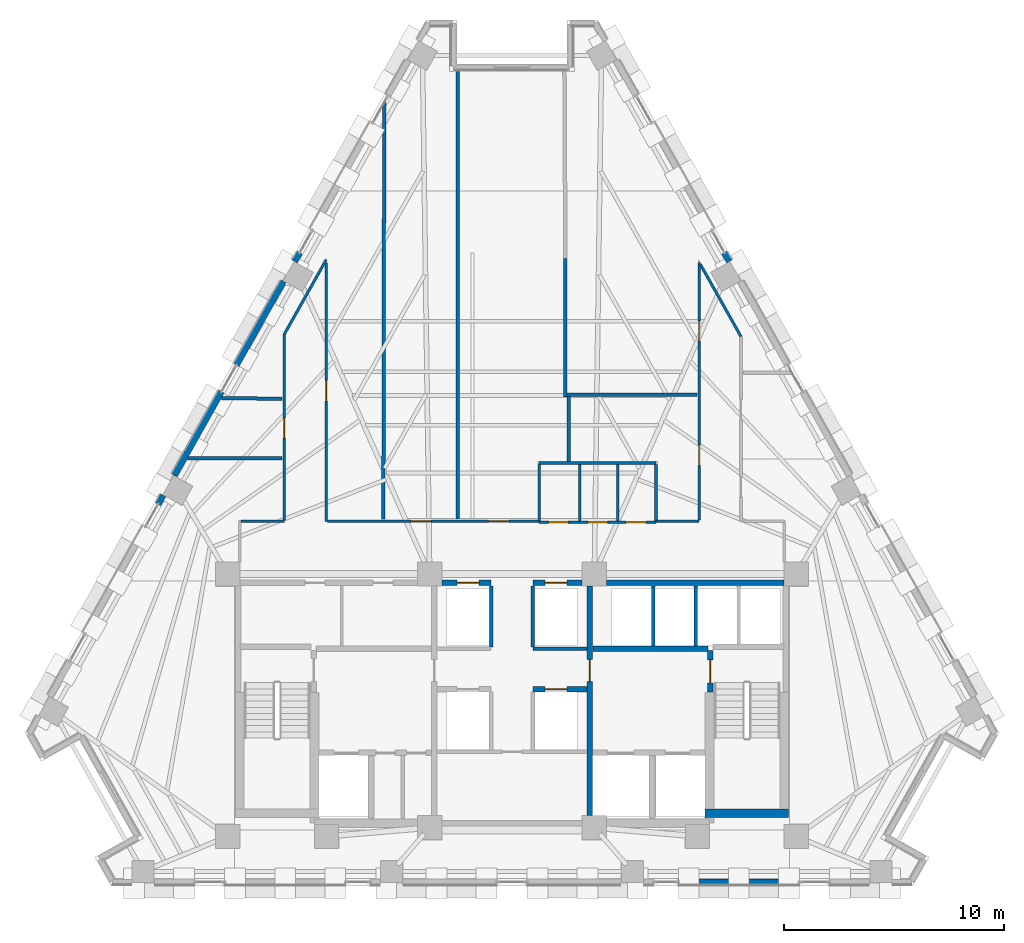
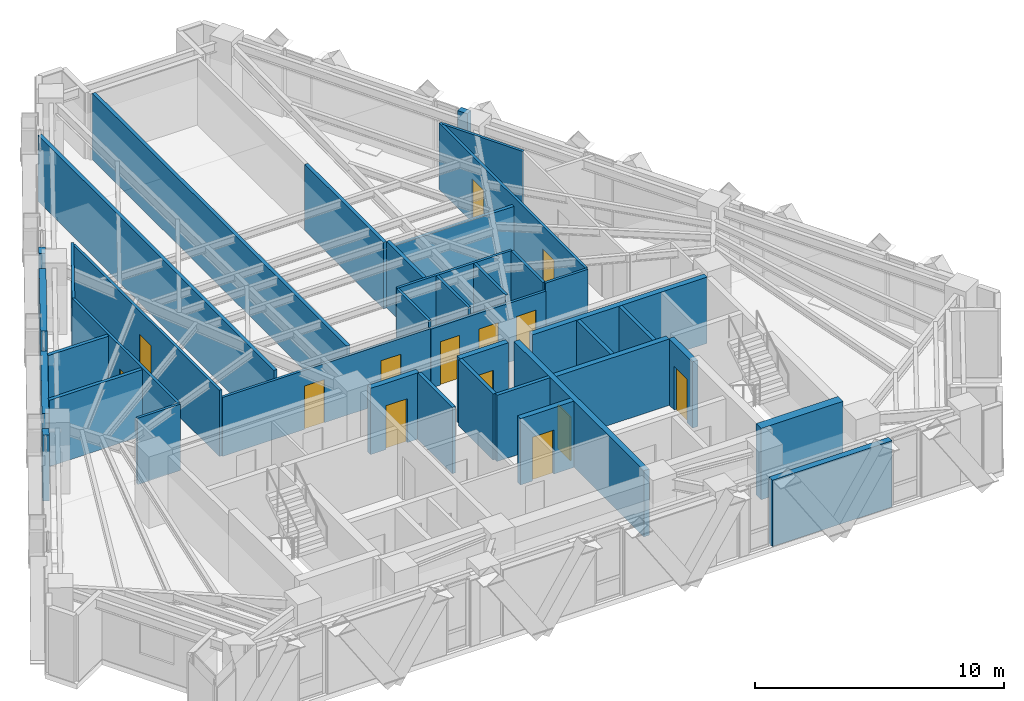
# One storey, part 8 of 13: 40 walls, 14 doors, 14 openings.
"""IFC4 building model written with IfcOpenShell, lengths in metres."""

from ifc_helpers import new_model, si_unit, direction, frame, frame_2d, origin, place, context, subcontext, project, spatial, rectangle, extrude, material, layer, layer_set, type_object, element, fill, save


model = new_model("IFC4")

# Units and contexts
model_context = context("Model", 3, precision=1e-05, world=origin(), true_north=direction((0.0, 1.0)))
body_context = subcontext(model_context, "Body", "Model", "MODEL_VIEW")
ifc_project = project(units=[si_unit("LENGTHUNIT", "METRE"), si_unit("AREAUNIT", "SQUARE_METRE"), si_unit("VOLUMEUNIT", "CUBIC_METRE"), si_unit("PLANEANGLEUNIT", "RADIAN"), si_unit("MASSUNIT", "GRAM", prefix="KILO")], contexts=[model_context])

# Site, building, storey
site_placement = place(None, origin())
site = spatial("IfcSite", under=ifc_project, at=site_placement, CompositionType="ELEMENT")
building_placement = place(site_placement, origin())
building = spatial("IfcBuilding", under=site, at=building_placement, Name="Quenlor Broadcast Tower", CompositionType="ELEMENT")
storey_placement = place(building_placement, frame((0.0, 0.0, 172.0)))
storey = spatial("IfcBuildingStorey", under=building, at=storey_placement, Name="L47", CompositionType="ELEMENT", Elevation=172.0)

# Wall
ifc_material_1 = material(Name="Concrete C50/60", Category="concrete")
ifc_layer_1 = layer(ifc_material_1, 0.39990234375)
ifc_layer_set_1 = layer_set([ifc_layer_1], Name="Core Concrete C50/60 Shear Wall 400")
wall_type_1 = type_object("IfcWallType", Name="Core Concrete C50/60 Shear Wall 400", PredefinedType="SHEAR", material=ifc_layer_set_1)
wall_1_placement = place(storey_placement, frame((8.800048828125, -15.699951171875, 0.0), z_axis=(0.0, 0.0, 1.0), x_axis=(1.0, 0.0, 0.0)))
element("IfcWall", 1, at=wall_1_placement, inside=storey, type_object=wall_type_1, Name="L47 Core Shear Wall WS-E2", PredefinedType="SHEAR", context=body_context, shape_type="SweptSolid", body=[
    extrude(rectangle(XDim=3.800048828125, YDim=0.39990234375, at=frame_2d((1.89990234375, 0.0))), origin(), (0.0, 0.0, 1.0), 3.5),
])

# Wall, opening, door
ifc_material_2 = material(Name="Concrete C40/50", Category="concrete")
ifc_layer_2 = layer(ifc_material_2, 0.25)
ifc_layer_set_2 = layer_set([ifc_layer_2], Name="Fire Rated Concrete C40/50 Core Wall 250")
wall_type_2 = type_object("IfcWallType", Name="Fire Rated Concrete C40/50 Core Wall 250", PredefinedType="PARTITIONING", material=ifc_layer_set_2)
wall_2_placement = place(storey_placement, frame((9.0400390625, -10.179931640625, 0.0), z_axis=(0.0, 0.0, 1.0), x_axis=(0.0, 1.0, 0.0)))
wall_2 = element("IfcWall", 2, at=wall_2_placement, inside=storey, type_object=wall_type_2, Name="L47 Interior Wall CW-ST2-DR", PredefinedType="PARTITIONING", context=body_context, shape_type="SweptSolid", body=[
    extrude(rectangle(XDim=1.89990234375, YDim=0.25, at=frame_2d((0.949951171875, 0.0))), origin(), (0.0, 0.0, 1.0), 3.25),
])
opening_1_placement = place(wall_2_placement, frame((0.419921875, 0.0, 0.0)))
opening_1 = element("IfcOpeningElement", 3, at=opening_1_placement, cuts=wall_2, Name="Opening FD-1", PredefinedType="OPENING", context=body_context, shape_type="SweptSolid", body=[
    extrude(rectangle(XDim=1.050048828125, YDim=2.14990234375, at=frame_2d((0.52490234375, 1.074951171875))), frame((0.0, 0.135009765625, 0.0), z_axis=(0.0, -1.0, 0.0), x_axis=(1.0, 0.0, 0.0)), (0.0, 0.0, 1.0), 0.27001953125),
])
ifc_material_3 = material(Name="Fire Rated Steel Door Leaf", Category="steel")
door_type_1 = type_object("IfcDoorType", Name="Fire Isolated Stair Door 1050x2150", OperationType="NOTDEFINED", PredefinedType="DOOR", material=ifc_material_3)
door_1_placement = place(opening_1_placement, origin())
door_1 = element("IfcDoor", 4, at=door_1_placement, inside=storey, type_object=door_type_1, Name="L47 Door DR-ST2", OperationType="SINGLE_SWING_RIGHT", OverallHeight=2.14990234375, OverallWidth=1.050048828125, PredefinedType="DOOR", context=body_context, shape_type="SweptSolid", body=[
    extrude(rectangle(XDim=1.050048828125, YDim=2.14990234375, at=frame_2d((0.52490234375, 1.074951171875))), frame((0.0, 0.02490234375, 0.0), z_axis=(0.0, -1.0, 0.0), x_axis=(1.0, 0.0, 0.0)), (0.0, 0.0, 1.0), 0.050048828125),
])
fill(opening_1, door_1)

# Wall
wall_3_placement = place(storey_placement, frame((3.679931640625, -8.199951171875, 0.0), z_axis=(0.0, 0.0, 1.0), x_axis=(1.0, 0.0, 0.0)))
element("IfcWall", 5, at=wall_3_placement, inside=storey, type_object=wall_type_2, Name="L47 Interior Wall CW-FFE-N", PredefinedType="PARTITIONING", context=body_context, shape_type="SweptSolid", body=[
    extrude(rectangle(XDim=5.239990234375, YDim=0.25, at=frame_2d((2.6201171875, 0.0))), origin(), (0.0, 0.0, 1.0), 3.25),
])

# Wall, opening, door
wall_4_placement = place(storey_placement, frame((3.550048828125, -15.798095703125, 0.0), z_axis=(0.0, 0.0, 1.0), x_axis=(0.0, 1.0, 0.0)))
wall_4 = element("IfcWall", 6, at=wall_4_placement, inside=storey, type_object=wall_type_2, Name="L47 Interior Wall CW-FFE-W", PredefinedType="PARTITIONING", context=body_context, shape_type="SweptSolid", body=[
    extrude(rectangle(XDim=10.446044921875, YDim=0.25, at=frame_2d((5.22314453125, 0.0))), origin(), (0.0, 0.0, 1.0), 3.25),
])
opening_2_placement = place(wall_4_placement, frame((6.097900390625, 0.0, 0.0)))
opening_2 = element("IfcOpeningElement", 7, at=opening_2_placement, cuts=wall_4, Name="Opening FD-2", PredefinedType="OPENING", context=body_context, shape_type="SweptSolid", body=[
    extrude(rectangle(XDim=1.0, YDim=2.14990234375, at=frame_2d((0.5, 1.074951171875))), frame((0.0, 0.135009765625, 0.0), z_axis=(0.0, -1.0, 0.0), x_axis=(1.0, 0.0, 0.0)), (0.0, 0.0, 1.0), 0.27001953125),
])
ifc_material_4 = material(Name="Fire Rated Glazed Steel Door", Category="steel")
door_type_2 = type_object("IfcDoorType", Name="Firefighting Lobby Smoke Door 1000x2150", OperationType="NOTDEFINED", PredefinedType="DOOR", material=ifc_material_4)
door_2_placement = place(opening_2_placement, origin())
door_2 = element("IfcDoor", 8, at=door_2_placement, inside=storey, type_object=door_type_2, Name="L47 Door DR-FFLE", OperationType="SINGLE_SWING_LEFT", OverallHeight=2.14990234375, OverallWidth=1.0, PredefinedType="DOOR", context=body_context, shape_type="SweptSolid", body=[
    extrude(rectangle(XDim=1.0, YDim=2.14990234375, at=frame_2d((0.5, 1.074951171875))), frame((0.0, 0.02490234375, 0.0), z_axis=(0.0, -1.0, 0.0), x_axis=(1.0, 0.0, 0.0)), (0.0, 0.0, 1.0), 0.050048828125),
])
fill(opening_2, door_2)

# Wall
wall_5_placement = place(storey_placement, frame((4.302001953125, -5.199951171875, 0.0), z_axis=(0.0, 0.0, 1.0), x_axis=(1.0, 0.0, 0.0)))
element("IfcWall", 9, at=wall_5_placement, inside=storey, type_object=wall_type_2, Name="L47 Interior Wall CW-N-E", PredefinedType="PARTITIONING", context=body_context, shape_type="SweptSolid", body=[
    extrude(rectangle(XDim=8.095947265625, YDim=0.25, at=frame_2d((4.0478515625, 0.0))), origin(), (0.0, 0.0, 1.0), 3.25),
])

# Wall, opening, door
wall_6_placement = place(storey_placement, frame((-3.197998046875, -5.199951171875, 0.0), z_axis=(0.0, 0.0, 1.0), x_axis=(1.0, 0.0, 0.0)))
wall_6 = element("IfcWall", 10, at=wall_6_placement, inside=storey, type_object=wall_type_2, Name="L47 Interior Wall CW-N-M1", PredefinedType="PARTITIONING", context=body_context, shape_type="SweptSolid", body=[
    extrude(rectangle(XDim=2.248046875, YDim=0.25, at=frame_2d((1.1240234375, 0.0))), origin(), (0.0, 0.0, 1.0), 3.25),
])
opening_3_placement = place(wall_6_placement, frame((0.697998046875, 0.0, 0.0)))
opening_3 = element("IfcOpeningElement", 11, at=opening_3_placement, cuts=wall_6, Name="Opening LD-PL-M1", PredefinedType="OPENING", context=body_context, shape_type="SweptSolid", body=[
    extrude(rectangle(XDim=1.0, YDim=2.14990234375, at=frame_2d((0.5, 1.074951171875))), frame((0.0, 0.135009765625, 0.0), z_axis=(0.0, -1.0, 0.0), x_axis=(1.0, 0.0, 0.0)), (0.0, 0.0, 1.0), 0.27001953125),
])
ifc_material_5 = material(Name="Brushed Stainless Steel", Category="steel")
door_type_3 = type_object("IfcDoorType", Name="Passenger Lift Sliding Landing Door 1000x2150", OperationType="NOTDEFINED", PredefinedType="DOOR", material=ifc_material_5)
door_3_placement = place(opening_3_placement, origin())
door_3 = element("IfcDoor", 12, at=door_3_placement, inside=storey, type_object=door_type_3, Name="L47 Door LD-PL-M1", OperationType="SLIDING_TO_LEFT", OverallHeight=2.14990234375, OverallWidth=1.0, PredefinedType="DOOR", context=body_context, shape_type="SweptSolid", body=[
    extrude(rectangle(XDim=1.0, YDim=2.14990234375, at=frame_2d((0.5, 1.074951171875))), frame((0.0, 0.02490234375, 0.0), z_axis=(0.0, -1.0, 0.0), x_axis=(1.0, 0.0, 0.0)), (0.0, 0.0, 1.0), 0.050048828125),
])
fill(opening_3, door_3)

wall_7_placement = place(storey_placement, frame((0.949951171875, -5.199951171875, 0.0), z_axis=(0.0, 0.0, 1.0), x_axis=(1.0, 0.0, 0.0)))
wall_7 = element("IfcWall", 13, at=wall_7_placement, inside=storey, type_object=wall_type_2, Name="L47 Interior Wall CW-N-M2", PredefinedType="PARTITIONING", context=body_context, shape_type="SweptSolid", body=[
    extrude(rectangle(XDim=2.248046875, YDim=0.25, at=frame_2d((1.1240234375, 0.0))), origin(), (0.0, 0.0, 1.0), 3.25),
])
opening_4_placement = place(wall_7_placement, frame((0.550048828125, 0.0, 0.0)))
opening_4 = element("IfcOpeningElement", 14, at=opening_4_placement, cuts=wall_7, Name="Opening LD-PL-M2", PredefinedType="OPENING", context=body_context, shape_type="SweptSolid", body=[
    extrude(rectangle(XDim=1.0, YDim=2.14990234375, at=frame_2d((0.5, 1.074951171875))), frame((0.0, 0.135009765625, 0.0), z_axis=(0.0, -1.0, 0.0), x_axis=(1.0, 0.0, 0.0)), (0.0, 0.0, 1.0), 0.27001953125),
])
door_4_placement = place(opening_4_placement, origin())
door_4 = element("IfcDoor", 15, at=door_4_placement, inside=storey, type_object=door_type_3, Name="L47 Door LD-PL-M2", OperationType="SLIDING_TO_RIGHT", OverallHeight=2.14990234375, OverallWidth=1.0, PredefinedType="DOOR", context=body_context, shape_type="SweptSolid", body=[
    extrude(rectangle(XDim=1.0, YDim=2.14990234375, at=frame_2d((0.5, 1.074951171875))), frame((0.0, 0.02490234375, 0.0), z_axis=(0.0, -1.0, 0.0), x_axis=(1.0, 0.0, 0.0)), (0.0, 0.0, 1.0), 0.050048828125),
])
fill(opening_4, door_4)

wall_8_placement = place(storey_placement, frame((0.949951171875, -10.050048828125, 0.0), z_axis=(0.0, 0.0, 1.0), x_axis=(1.0, 0.0, 0.0)))
wall_8 = element("IfcWall", 16, at=wall_8_placement, inside=storey, type_object=wall_type_2, Name="L47 Interior Wall CW-MS-N2", PredefinedType="PARTITIONING", context=body_context, shape_type="SweptSolid", body=[
    extrude(rectangle(XDim=2.469970703125, YDim=0.25, at=frame_2d((1.23486328125, 0.0))), origin(), (0.0, 0.0, 1.0), 3.25),
])
opening_5_placement = place(wall_8_placement, frame((0.550048828125, 0.0, 0.0)))
opening_5 = element("IfcOpeningElement", 17, at=opening_5_placement, cuts=wall_8, Name="Opening LD-PL-M4", PredefinedType="OPENING", context=body_context, shape_type="SweptSolid", body=[
    extrude(rectangle(XDim=1.0, YDim=2.14990234375, at=frame_2d((0.5, 1.074951171875))), frame((0.0, 0.135009765625, 0.0), z_axis=(0.0, -1.0, 0.0), x_axis=(1.0, 0.0, 0.0)), (0.0, 0.0, 1.0), 0.27001953125),
])
door_5_placement = place(opening_5_placement, origin())
door_5 = element("IfcDoor", 18, at=door_5_placement, inside=storey, type_object=door_type_3, Name="L47 Door LD-PL-M4", OperationType="SLIDING_TO_RIGHT", OverallHeight=2.14990234375, OverallWidth=1.0, PredefinedType="DOOR", context=body_context, shape_type="SweptSolid", body=[
    extrude(rectangle(XDim=1.0, YDim=2.14990234375, at=frame_2d((0.5, 1.074951171875))), frame((0.0, 0.02490234375, 0.0), z_axis=(0.0, -1.0, 0.0), x_axis=(1.0, 0.0, 0.0)), (0.0, 0.0, 1.0), 0.050048828125),
])
fill(opening_5, door_5)

# Walls
ifc_material_6 = material(Name="Gypsum Fireboard Partition", Category="other")
ifc_layer_3 = layer(ifc_material_6, 0.159912109375)
ifc_layer_set_3 = layer_set([ifc_layer_3], Name="Fire Rated Shaft and Corridor Partition 160")
wall_type_3 = type_object("IfcWallType", Name="Fire Rated Shaft and Corridor Partition 160", PredefinedType="PARTITIONING", material=ifc_layer_set_3)
for number, where, z_axis, x_axis, name in (
    (19, (6.425048828125, -8.072998046875, 0.0), (0.0, 0.0, 1.0), (0.0, 1.0, 0.0), "L47 Interior Wall CW-PLH-D1"),
    (20, (8.375, -8.072998046875, 0.0), (0.0, 0.0, 1.0), (0.0, 1.0, 0.0), "L47 Interior Wall CW-PLH-D2"),
):
    element("IfcWall", number, at=place(storey_placement, frame(where, z_axis=z_axis, x_axis=x_axis)), inside=storey, type_object=wall_type_3, Name=name, PredefinedType="PARTITIONING", context=body_context, shape_type="SweptSolid", body=[
        extrude(rectangle(XDim=2.73291015625, YDim=0.159912109375, at=frame_2d((1.366455078125, 0.0))), origin(), (0.0, 0.0, 1.0), 3.25),
    ])
for number, where, z_axis, x_axis, name in (
    (21, (-0.949951171875, -8.1201171875, 0.0), (0.0, 0.0, 1.0), (0.0, 1.0, 0.0), "L47 Interior Wall CW-CCRP-W"),
    (22, (0.949951171875, -8.1201171875, 0.0), (0.0, 0.0, 1.0), (0.0, 1.0, 0.0), "L47 Interior Wall CW-CCRP-E"),
):
    element("IfcWall", number, at=place(storey_placement, frame(where, z_axis=z_axis, x_axis=x_axis)), inside=storey, type_object=wall_type_3, Name=name, PredefinedType="PARTITIONING", context=body_context, shape_type="SweptSolid", body=[
        extrude(rectangle(XDim=2.780029296875, YDim=0.159912109375, at=frame_2d((1.39013671875, 0.0))), origin(), (0.0, 0.0, 1.0), 3.25),
    ])
wall_9_placement = place(storey_placement, frame((0.949951171875, -8.199951171875, 0.0), z_axis=(0.0, 0.0, 1.0), x_axis=(1.0, 0.0, 0.0)))
element("IfcWall", 23, at=wall_9_placement, inside=storey, type_object=wall_type_3, Name="L47 Interior Wall CW-M-BACK2", PredefinedType="PARTITIONING", context=body_context, shape_type="SweptSolid", body=[
    extrude(rectangle(XDim=2.469970703125, YDim=0.159912109375, at=frame_2d((1.23486328125, 0.0))), origin(), (0.0, 0.0, 1.0), 3.25),
])
wall_10_placement = place(storey_placement, frame((2.429931640625, 3.259765625, 0.0), z_axis=(0.0, 0.0, 1.0), x_axis=(0.0, 1.0, 0.0)))
element("IfcWall", 24, at=wall_10_placement, inside=storey, type_object=wall_type_3, Name="L47 Interior Wall PW-DV-02", PredefinedType="PARTITIONING", context=body_context, shape_type="SweptSolid", body=[
    extrude(rectangle(XDim=6.32470703125, YDim=0.159912109375, at=frame_2d((3.162353515625, 0.0))), origin(), (0.0, 0.0, 1.0), 3.25),
])
wall_11_placement = place(storey_placement, frame((8.419921875, 3.359619140625, 0.0), z_axis=(0.0, 0.0, 1.0), x_axis=(-1.0, 0.0, 0.0)))
element("IfcWall", 25, at=wall_11_placement, inside=storey, type_object=wall_type_3, Name="L47 Interior Wall PW-DV-04", PredefinedType="PARTITIONING", context=body_context, shape_type="SweptSolid", body=[
    extrude(rectangle(XDim=5.907958984375, YDim=0.159912109375, at=frame_2d((2.9541015625, 0.0))), origin(), (0.0, 0.0, 1.0), 2.891357421875),
])
wall_12_placement = place(storey_placement, frame((-2.474609375, -2.2900390625, 0.0), z_axis=(0.0, 0.0, 1.0), x_axis=(0.0, 1.0, 0.0)))
element("IfcWall", 26, at=wall_12_placement, inside=storey, type_object=wall_type_3, Name="L47 Interior Wall PW-DV-05", PredefinedType="PARTITIONING", context=body_context, shape_type="SweptSolid", body=[
    extrude(rectangle(XDim=20.447998046875, YDim=0.159912109375, at=frame_2d((10.22412109375, 0.0))), origin(), (0.0, 0.0, 1.0), 3.25),
])
wall_13_placement = place(storey_placement, frame((2.580078125, 3.277587890625, 0.0), z_axis=(0.0, 0.0, 1.0), x_axis=(0.0, -1.0, 0.0)))
element("IfcWall", 27, at=wall_13_placement, inside=storey, type_object=wall_type_3, Name="L47 Interior Wall PW-DV-06", PredefinedType="PARTITIONING", context=body_context, shape_type="SweptSolid", body=[
    extrude(rectangle(XDim=2.95556640625, YDim=0.159912109375, at=frame_2d((1.477783203125, 0.0))), origin(), (0.0, 0.0, 1.0), 3.25),
])
wall_14_placement = place(storey_placement, frame((-5.859619140625, -2.2900390625, 0.0), z_axis=(0.0, 0.0, 1.0), x_axis=(0.002107612298, 0.999997778983, 0.0)))
element("IfcWall", 28, at=wall_14_placement, inside=storey, type_object=wall_type_3, Name="L47 Interior Wall PW-DV-07", PredefinedType="PARTITIONING", context=body_context, shape_type="SweptSolid", body=[
    extrude(rectangle(XDim=18.997314453125, YDim=0.159912109375, at=frame_2d((9.49853515625, 0.0))), origin(), (0.0, 0.0, 1.0), 3.25),
])
wall_15_placement = place(storey_placement, frame((-10.47998046875, 3.18212890625, 0.0), z_axis=(0.0, 0.0, 1.0), x_axis=(-0.999909495127, 0.013453681797, 0.0)))
element("IfcWall", 29, at=wall_15_placement, inside=storey, type_object=wall_type_3, Name="L47 Interior Wall PW-DV-08", PredefinedType="PARTITIONING", context=body_context, shape_type="SweptSolid", body=[
    extrude(rectangle(XDim=2.75830078125, YDim=0.159912109375, at=frame_2d((1.379150390625, 0.0))), origin(), (0.0, 0.0, 1.0), 3.25),
])
wall_16_placement = place(storey_placement, frame((-10.47998046875, 0.479736328125, 0.0), z_axis=(0.0, 0.0, 1.0), x_axis=(-1.0, 0.0, 0.0)))
element("IfcWall", 30, at=wall_16_placement, inside=storey, type_object=wall_type_3, Name="L47 Interior Wall PW-DV-09", PredefinedType="PARTITIONING", context=body_context, shape_type="SweptSolid", body=[
    extrude(rectangle(XDim=4.299072265625, YDim=0.159912109375, at=frame_2d((2.1494140625, 0.0))), origin(), (0.0, 0.0, 1.0), 3.25),
])

# Wall, openings, doors
ifc_material_7 = material(Name="Gypsum Plasterboard Partition", Category="other")
ifc_layer_4 = layer(ifc_material_7, 0.1201171875)
ifc_layer_set_4 = layer_set([ifc_layer_4], Name="Standard Office Partition 120")
wall_type_4 = type_object("IfcWallType", Name="Standard Office Partition 120", PredefinedType="PARTITIONING", material=ifc_layer_set_4)
wall_17_placement = place(storey_placement, frame((1.239990234375, -2.43994140625, 0.0), z_axis=(0.0, 0.0, 1.0), x_axis=(1.0, 0.0, 0.0)))
wall_17 = element("IfcWall", 31, at=wall_17_placement, inside=storey, type_object=wall_type_4, Name="L47 Interior Wall PW-WC-S", PredefinedType="PARTITIONING", context=body_context, shape_type="SweptSolid", body=[
    extrude(rectangle(XDim=5.320068359375, YDim=0.1201171875, at=frame_2d((2.66015625, 0.0))), origin(), (0.0, 0.0, 1.0), 2.891357421875),
])
opening_6_placement = place(wall_17_placement, frame((0.419921875, 0.0, 0.0)))
opening_6 = element("IfcOpeningElement", 32, at=opening_6_placement, cuts=wall_17, Name="Opening ID-3", PredefinedType="OPENING", context=body_context, shape_type="SweptSolid", body=[
    extrude(rectangle(XDim=0.89990234375, YDim=2.1201171875, at=frame_2d((0.449951171875, 1.06005859375))), frame((0.0, 0.070068359375, 0.0), z_axis=(0.0, -1.0, 0.0), x_axis=(1.0, 0.0, 0.0)), (0.0, 0.0, 1.0), 0.14013671875),
])
opening_7_placement = place(wall_17_placement, frame((2.219970703125, 0.0, 0.0)))
opening_7 = element("IfcOpeningElement", 33, at=opening_7_placement, cuts=wall_17, Name="Opening ID-3", PredefinedType="OPENING", context=body_context, shape_type="SweptSolid", body=[
    extrude(rectangle(XDim=0.89990234375, YDim=2.1201171875, at=frame_2d((0.449951171875, 1.06005859375))), frame((0.0, 0.070068359375, 0.0), z_axis=(0.0, -1.0, 0.0), x_axis=(1.0, 0.0, 0.0)), (0.0, 0.0, 1.0), 0.14013671875),
])
opening_8_placement = place(wall_17_placement, frame((3.9599609375, 0.0, 0.0)))
opening_8 = element("IfcOpeningElement", 34, at=opening_8_placement, cuts=wall_17, Name="Opening ID-3", PredefinedType="OPENING", context=body_context, shape_type="SweptSolid", body=[
    extrude(rectangle(XDim=0.89990234375, YDim=2.1201171875, at=frame_2d((0.449951171875, 1.06005859375))), frame((0.0, 0.070068359375, 0.0), z_axis=(0.0, -1.0, 0.0), x_axis=(1.0, 0.0, 0.0)), (0.0, 0.0, 1.0), 0.14013671875),
])
ifc_material_8 = material(Name="Moisture Resistant Timber Oak", Category="wood")
door_type_4 = type_object("IfcDoorType", Name="Washroom Privacy Door 900x2120", OperationType="NOTDEFINED", PredefinedType="DOOR", material=ifc_material_8)
door_6_placement = place(opening_6_placement, origin())
door_6 = element("IfcDoor", 35, at=door_6_placement, inside=storey, type_object=door_type_4, Name="L47 Door DR-AWC", OperationType="SINGLE_SWING_LEFT", OverallHeight=2.1201171875, OverallWidth=0.89990234375, PredefinedType="DOOR", context=body_context, shape_type="SweptSolid", body=[
    extrude(rectangle(XDim=0.89990234375, YDim=2.1201171875, at=frame_2d((0.449951171875, 1.06005859375))), frame((0.0, 0.02490234375, 0.0), z_axis=(0.0, -1.0, 0.0), x_axis=(1.0, 0.0, 0.0)), (0.0, 0.0, 1.0), 0.050048828125),
])
fill(opening_6, door_6)
door_7_placement = place(opening_7_placement, origin())
door_7 = element("IfcDoor", 36, at=door_7_placement, inside=storey, type_object=door_type_4, Name="L47 Door DR-MWC", OperationType="SINGLE_SWING_LEFT", OverallHeight=2.1201171875, OverallWidth=0.89990234375, PredefinedType="DOOR", context=body_context, shape_type="SweptSolid", body=[
    extrude(rectangle(XDim=0.89990234375, YDim=2.1201171875, at=frame_2d((0.449951171875, 1.06005859375))), frame((0.0, 0.02490234375, 0.0), z_axis=(0.0, -1.0, 0.0), x_axis=(1.0, 0.0, 0.0)), (0.0, 0.0, 1.0), 0.050048828125),
])
fill(opening_7, door_7)
door_8_placement = place(opening_8_placement, origin())
door_8 = element("IfcDoor", 37, at=door_8_placement, inside=storey, type_object=door_type_4, Name="L47 Door DR-FWC", OperationType="SINGLE_SWING_RIGHT", OverallHeight=2.1201171875, OverallWidth=0.89990234375, PredefinedType="DOOR", context=body_context, shape_type="SweptSolid", body=[
    extrude(rectangle(XDim=0.89990234375, YDim=2.1201171875, at=frame_2d((0.449951171875, 1.06005859375))), frame((0.0, 0.02490234375, 0.0), z_axis=(0.0, -1.0, 0.0), x_axis=(1.0, 0.0, 0.0)), (0.0, 0.0, 1.0), 0.050048828125),
])
fill(opening_8, door_8)

# Walls
wall_18_placement = place(storey_placement, frame((1.239990234375, 0.260009765625, 0.0), z_axis=(0.0, 0.0, 1.0), x_axis=(1.0, 0.0, 0.0)))
element("IfcWall", 38, at=wall_18_placement, inside=storey, type_object=wall_type_4, Name="L47 Interior Wall PW-WC-N", PredefinedType="PARTITIONING", context=body_context, shape_type="SweptSolid", body=[
    extrude(rectangle(XDim=5.320068359375, YDim=0.1201171875, at=frame_2d((2.66015625, 0.0))), origin(), (0.0, 0.0, 1.0), 3.25),
])
for number, where, z_axis, x_axis, name in (
    (39, (1.239990234375, -2.3779296875, 0.0), (0.0, 0.0, 1.0), (0.0, 1.0, 0.0), "L47 Interior Wall PW-WC-W"),
    (40, (3.080078125, -2.3779296875, 0.0), (0.0, 0.0, 1.0), (0.0, 1.0, 0.0), "L47 Interior Wall PW-WC-M1"),
    (41, (4.820068359375, -2.3779296875, 0.0), (0.0, 0.0, 1.0), (0.0, 1.0, 0.0), "L47 Interior Wall PW-WC-M2"),
    (42, (6.56005859375, -2.3779296875, 0.0), (0.0, 0.0, 1.0), (0.0, 1.0, 0.0), "L47 Interior Wall PW-WC-E"),
):
    element("IfcWall", number, at=place(storey_placement, frame(where, z_axis=z_axis, x_axis=x_axis)), inside=storey, type_object=wall_type_4, Name=name, PredefinedType="PARTITIONING", context=body_context, shape_type="SweptSolid", body=[
        extrude(rectangle(XDim=2.575927734375, YDim=0.1201171875, at=frame_2d((1.2880859375, 0.0))), origin(), (0.0, 0.0, 1.0), 3.25),
    ])
wall_19_placement = place(storey_placement, frame((-12.347900390625, -2.39990234375, 0.0), z_axis=(0.0, 0.0, 1.0), x_axis=(1.0, 0.0, 0.0)))
element("IfcWall", 43, at=wall_19_placement, inside=storey, type_object=wall_type_4, Name="L47 Interior Wall PW-CR-02", PredefinedType="PARTITIONING", context=body_context, shape_type="SweptSolid", body=[
    extrude(rectangle(XDim=1.977783203125, YDim=0.1201171875, at=frame_2d((0.98876953125, 0.0))), origin(), (0.0, 0.0, 1.0), 3.25),
])

# Wall, opening, door
wall_20_placement = place(storey_placement, frame((-10.3701171875, -2.337890625, 0.0), z_axis=(0.0, 0.0, 1.0), x_axis=(0.0, 1.0, 0.0)))
wall_20 = element("IfcWall", 44, at=wall_20_placement, inside=storey, type_object=wall_type_4, Name="L47 Interior Wall PW-CR-03", PredefinedType="PARTITIONING", context=body_context, shape_type="SweptSolid", body=[
    extrude(rectangle(XDim=8.467041015625, YDim=0.1201171875, at=frame_2d((4.2333984375, 0.0))), origin(), (0.0, 0.0, 1.0), 3.25),
])
opening_9_placement = place(wall_20_placement, frame((3.72802734375, 0.0, 0.0)))
opening_9 = element("IfcOpeningElement", 45, at=opening_9_placement, cuts=wall_20, Name="Opening ID-1", PredefinedType="OPENING", context=body_context, shape_type="SweptSolid", body=[
    extrude(rectangle(XDim=0.919921875, YDim=2.1201171875, at=frame_2d((0.4599609375, 1.06005859375))), frame((0.0, 0.070068359375, 0.0), z_axis=(0.0, -1.0, 0.0), x_axis=(1.0, 0.0, 0.0)), (0.0, 0.0, 1.0), 0.14013671875),
])
ifc_material_9 = material(Name="Solid Core Timber Oak", Category="wood")
door_type_5 = type_object("IfcDoorType", Name="Single Leaf Timber Office Door 920x2120", OperationType="NOTDEFINED", PredefinedType="DOOR", material=ifc_material_9)
door_9_placement = place(opening_9_placement, origin())
door_9 = element("IfcDoor", 46, at=door_9_placement, inside=storey, type_object=door_type_5, Name="L47 Door DR-RM06", OperationType="SINGLE_SWING_RIGHT", OverallHeight=2.1201171875, OverallWidth=0.919921875, PredefinedType="DOOR", context=body_context, shape_type="SweptSolid", body=[
    extrude(rectangle(XDim=0.919921875, YDim=2.1201171875, at=frame_2d((0.4599609375, 1.06005859375))), frame((0.0, 0.02490234375, 0.0), z_axis=(0.0, -1.0, 0.0), x_axis=(1.0, 0.0, 0.0)), (0.0, 0.0, 1.0), 0.050048828125),
])
fill(opening_9, door_9)

# Wall
wall_21_placement = place(storey_placement, frame((-10.368896484375, 6.131103515625, 0.0), z_axis=(0.0, 0.0, 1.0), x_axis=(0.49024926945, 0.871582270244, 0.0)))
element("IfcWall", 47, at=wall_21_placement, inside=storey, type_object=wall_type_4, Name="L47 Interior Wall PW-CR-04", PredefinedType="PARTITIONING", context=body_context, shape_type="SweptSolid", body=[
    extrude(rectangle(XDim=3.873291015625, YDim=0.1201171875, at=frame_2d((1.9365234375, 0.0))), origin(), (0.0, 0.0, 1.0), 3.25),
])

# Wall, opening, door
wall_22_placement = place(storey_placement, frame((-8.469970703125, 9.380615234375, 0.0), z_axis=(0.0, 0.0, 1.0), x_axis=(0.0, -1.0, 0.0)))
wall_22 = element("IfcWall", 48, at=wall_22_placement, inside=storey, type_object=wall_type_4, Name="L47 Interior Wall PW-CR-05", PredefinedType="PARTITIONING", context=body_context, shape_type="SweptSolid", body=[
    extrude(rectangle(XDim=11.780517578125, YDim=0.1201171875, at=frame_2d((5.89013671875, 0.0))), origin(), (0.0, 0.0, 1.0), 3.25),
])
opening_10_placement = place(wall_22_placement, frame((5.366943359375, 0.0, 0.0)))
opening_10 = element("IfcOpeningElement", 49, at=opening_10_placement, cuts=wall_22, Name="Opening ID-1", PredefinedType="OPENING", context=body_context, shape_type="SweptSolid", body=[
    extrude(rectangle(XDim=0.919921875, YDim=2.1201171875, at=frame_2d((0.4599609375, 1.06005859375))), frame((0.0, 0.070068359375, 0.0), z_axis=(0.0, -1.0, 0.0), x_axis=(1.0, 0.0, 0.0)), (0.0, 0.0, 1.0), 0.14013671875),
])
door_10_placement = place(opening_10_placement, origin())
door_10 = element("IfcDoor", 50, at=door_10_placement, inside=storey, type_object=door_type_5, Name="L47 Door DR-RM04", OperationType="SINGLE_SWING_RIGHT", OverallHeight=2.1201171875, OverallWidth=0.919921875, PredefinedType="DOOR", context=body_context, shape_type="SweptSolid", body=[
    extrude(rectangle(XDim=0.919921875, YDim=2.1201171875, at=frame_2d((0.4599609375, 1.06005859375))), frame((0.0, 0.02490234375, 0.0), z_axis=(0.0, -1.0, 0.0), x_axis=(1.0, 0.0, 0.0)), (0.0, 0.0, 1.0), 0.050048828125),
])
fill(opening_10, door_10)

# Wall, openings, doors
wall_23_placement = place(storey_placement, frame((-8.407958984375, -2.39990234375, 0.0), z_axis=(0.0, 0.0, 1.0), x_axis=(1.0, 0.0, 0.0)))
wall_23 = element("IfcWall", 51, at=wall_23_placement, inside=storey, type_object=wall_type_4, Name="L47 Interior Wall PW-CR-06", PredefinedType="PARTITIONING", context=body_context, shape_type="SweptSolid", body=[
    extrude(rectangle(XDim=9.64599609375, YDim=0.1201171875, at=frame_2d((4.822998046875, 0.0))), origin(), (0.0, 0.0, 1.0), 2.891357421875),
])
opening_11_placement = place(wall_23_placement, frame((7.341064453125, 0.0, 0.0)))
opening_11 = element("IfcOpeningElement", 52, at=opening_11_placement, cuts=wall_23, Name="Opening ID-1", PredefinedType="OPENING", context=body_context, shape_type="SweptSolid", body=[
    extrude(rectangle(XDim=0.919921875, YDim=2.1201171875, at=frame_2d((0.4599609375, 1.06005859375))), frame((0.0, 0.070068359375, 0.0), z_axis=(0.0, -1.0, 0.0), x_axis=(1.0, 0.0, 0.0)), (0.0, 0.0, 1.0), 0.14013671875),
])
opening_12_placement = place(wall_23_placement, frame((3.801025390625, 0.0, 0.0)))
opening_12 = element("IfcOpeningElement", 53, at=opening_12_placement, cuts=wall_23, Name="Opening ID-1", PredefinedType="OPENING", context=body_context, shape_type="SweptSolid", body=[
    extrude(rectangle(XDim=0.919921875, YDim=2.1201171875, at=frame_2d((0.4599609375, 1.06005859375))), frame((0.0, 0.070068359375, 0.0), z_axis=(0.0, -1.0, 0.0), x_axis=(1.0, 0.0, 0.0)), (0.0, 0.0, 1.0), 0.14013671875),
])
door_11_placement = place(opening_11_placement, origin())
door_11 = element("IfcDoor", 54, at=door_11_placement, inside=storey, type_object=door_type_5, Name="L47 Door DR-RM02", OperationType="SINGLE_SWING_RIGHT", OverallHeight=2.1201171875, OverallWidth=0.919921875, PredefinedType="DOOR", context=body_context, shape_type="SweptSolid", body=[
    extrude(rectangle(XDim=0.919921875, YDim=2.1201171875, at=frame_2d((0.4599609375, 1.06005859375))), frame((0.0, 0.02490234375, 0.0), z_axis=(0.0, -1.0, 0.0), x_axis=(1.0, 0.0, 0.0)), (0.0, 0.0, 1.0), 0.050048828125),
])
fill(opening_11, door_11)
door_12_placement = place(opening_12_placement, origin())
door_12 = element("IfcDoor", 55, at=door_12_placement, inside=storey, type_object=door_type_5, Name="L47 Door DR-RM03", OperationType="SINGLE_SWING_LEFT", OverallHeight=2.1201171875, OverallWidth=0.919921875, PredefinedType="DOOR", context=body_context, shape_type="SweptSolid", body=[
    extrude(rectangle(XDim=0.919921875, YDim=2.1201171875, at=frame_2d((0.4599609375, 1.06005859375))), frame((0.0, 0.02490234375, 0.0), z_axis=(0.0, -1.0, 0.0), x_axis=(1.0, 0.0, 0.0)), (0.0, 0.0, 1.0), 0.050048828125),
])
fill(opening_12, door_12)

# Wall
wall_24_placement = place(storey_placement, frame((6.56201171875, -2.39990234375, 0.0), z_axis=(0.0, 0.0, 1.0), x_axis=(1.0, 0.0, 0.0)))
element("IfcWall", 56, at=wall_24_placement, inside=storey, type_object=wall_type_4, Name="L47 Interior Wall PW-CR-06S2", PredefinedType="PARTITIONING", context=body_context, shape_type="SweptSolid", body=[
    extrude(rectangle(XDim=1.968017578125, YDim=0.1201171875, at=frame_2d((0.98388671875, 0.0))), origin(), (0.0, 0.0, 1.0), 3.25),
])

# Wall, openings, doors
wall_25_placement = place(storey_placement, frame((8.530029296875, -2.337890625, 0.0), z_axis=(0.0, 0.0, 1.0), x_axis=(0.0, 1.0, 0.0)))
wall_25 = element("IfcWall", 57, at=wall_25_placement, inside=storey, type_object=wall_type_4, Name="L47 Interior Wall PW-CR-07", PredefinedType="PARTITIONING", context=body_context, shape_type="SweptSolid", body=[
    extrude(rectangle(XDim=11.73828125, YDim=0.1201171875, at=frame_2d((5.869140625, 0.0))), origin(), (0.0, 0.0, 1.0), 3.25),
])
opening_13_placement = place(wall_25_placement, frame((8.14892578125, 0.0, 0.0)))
opening_13 = element("IfcOpeningElement", 58, at=opening_13_placement, cuts=wall_25, Name="Opening ID-1", PredefinedType="OPENING", context=body_context, shape_type="SweptSolid", body=[
    extrude(rectangle(XDim=0.919921875, YDim=2.1201171875, at=frame_2d((0.4599609375, 1.06005859375))), frame((0.0, 0.070068359375, 0.0), z_axis=(0.0, -1.0, 0.0), x_axis=(1.0, 0.0, 0.0)), (0.0, 0.0, 1.0), 0.14013671875),
])
opening_14_placement = place(wall_25_placement, frame((2.487060546875, 0.0, 0.0)))
opening_14 = element("IfcOpeningElement", 59, at=opening_14_placement, cuts=wall_25, Name="Opening ID-1", PredefinedType="OPENING", context=body_context, shape_type="SweptSolid", body=[
    extrude(rectangle(XDim=0.919921875, YDim=2.1201171875, at=frame_2d((0.4599609375, 1.06005859375))), frame((0.0, 0.070068359375, 0.0), z_axis=(0.0, -1.0, 0.0), x_axis=(1.0, 0.0, 0.0)), (0.0, 0.0, 1.0), 0.14013671875),
])
door_13_placement = place(opening_13_placement, origin())
door_13 = element("IfcDoor", 60, at=door_13_placement, inside=storey, type_object=door_type_5, Name="L47 Door DR-RM01", OperationType="SINGLE_SWING_LEFT", OverallHeight=2.1201171875, OverallWidth=0.919921875, PredefinedType="DOOR", context=body_context, shape_type="SweptSolid", body=[
    extrude(rectangle(XDim=0.919921875, YDim=2.1201171875, at=frame_2d((0.4599609375, 1.06005859375))), frame((0.0, 0.02490234375, 0.0), z_axis=(0.0, -1.0, 0.0), x_axis=(1.0, 0.0, 0.0)), (0.0, 0.0, 1.0), 0.050048828125),
])
fill(opening_13, door_13)
door_14_placement = place(opening_14_placement, origin())
door_14 = element("IfcDoor", 61, at=door_14_placement, inside=storey, type_object=door_type_5, Name="L47 Door DR-RM07", OperationType="SINGLE_SWING_LEFT", OverallHeight=2.1201171875, OverallWidth=0.919921875, PredefinedType="DOOR", context=body_context, shape_type="SweptSolid", body=[
    extrude(rectangle(XDim=0.919921875, YDim=2.1201171875, at=frame_2d((0.4599609375, 1.06005859375))), frame((0.0, 0.02490234375, 0.0), z_axis=(0.0, -1.0, 0.0), x_axis=(1.0, 0.0, 0.0)), (0.0, 0.0, 1.0), 0.050048828125),
])
fill(opening_14, door_14)

# Walls
wall_26_placement = place(storey_placement, frame((8.592041015625, 9.2900390625, 0.0), z_axis=(0.0, 0.0, 1.0), x_axis=(0.490264331639, -0.871573797864, 0.0)))
element("IfcWall", 62, at=wall_26_placement, inside=storey, type_object=wall_type_4, Name="L47 Interior Wall PW-CR-08", PredefinedType="PARTITIONING", context=body_context, shape_type="SweptSolid", body=[
    extrude(rectangle(XDim=3.748779296875, YDim=0.1201171875, at=frame_2d((1.87451171875, 0.0))), origin(), (0.0, 0.0, 1.0), 3.25),
])
ifc_material_10 = material(Name="Precast concrete C40/50", Category="concrete")
ifc_layer_5 = layer(ifc_material_10, 0.280029296875)
ifc_layer_set_5 = layer_set([ifc_layer_5], Name="Terracotta Precast Concrete C40/50 Facade Wall 280")
wall_type_5 = type_object("IfcWallType", Name="Terracotta Precast Concrete C40/50 Facade Wall 280", PredefinedType="STANDARD", material=ifc_layer_set_5)
wall_27_placement = place(storey_placement, frame((13.10693359375, -18.824951171875, 0.0), z_axis=(0.0, 0.0, 1.0), x_axis=(-1.0, 0.0, 0.0)))
element("IfcWall", 63, at=wall_27_placement, inside=storey, type_object=wall_type_5, Name="L47 Exterior Wall L47-SA-SP2", PredefinedType="STANDARD", context=body_context, shape_type="SweptSolid", body=[
    extrude(rectangle(XDim=5.550048828125, YDim=0.280029296875, at=frame_2d((2.77490234375, 0.0))), origin(), (0.0, 0.0, 1.0), 3.25),
])
for number, where, z_axis, x_axis, name in (
    (64, (9.674072265625, 9.8447265625, 0.0), (0.0, 0.0, 1.0), (0.490412424957, -0.871490478116, 0.0), "L47 Exterior Wall L47-NEA-SP3"),
    (65, (-16.120849609375, -1.6162109375, 0.0), (0.0, 0.0, 1.0), (0.490009165718, 0.871717280724, 0.0), "L47 Exterior Wall L47-NWA-SP3"),
    (66, (-9.899658203125, 9.44384765625, 0.0), (0.0, 0.0, 1.0), (0.490412424957, 0.871490478116, 0.0), "L47 Exterior Wall L47-NWC-SP1"),
):
    element("IfcWall", number, at=place(storey_placement, frame(where, z_axis=z_axis, x_axis=x_axis)), inside=storey, type_object=wall_type_5, Name=name, PredefinedType="STANDARD", context=body_context, shape_type="SweptSolid", body=[
        extrude(rectangle(XDim=0.4599609375, YDim=0.280029296875, at=frame_2d((0.22998046875, 0.0))), origin(), (0.0, 0.0, 1.0), 3.25),
    ])
wall_28_placement = place(storey_placement, frame((-15.383056640625, -0.3046875, 0.0), z_axis=(0.0, 0.0, 1.0), x_axis=(0.490232095789, 0.871591929895, 0.0)))
element("IfcWall", 67, at=wall_28_placement, inside=storey, type_object=wall_type_5, Name="L47 Exterior Wall L47-NW-SP1", PredefinedType="STANDARD", context=body_context, shape_type="SweptSolid", body=[
    extrude(rectangle(XDim=4.375, YDim=0.280029296875, at=frame_2d((2.1875, 0.0))), origin(), (0.0, 0.0, 1.0), 3.25),
])
wall_29_placement = place(storey_placement, frame((-12.556884765625, 4.7197265625, 0.0), z_axis=(0.0, 0.0, 1.0), x_axis=(0.490274486291, 0.871568085747, 0.0)))
element("IfcWall", 68, at=wall_29_placement, inside=storey, type_object=wall_type_5, Name="L47 Exterior Wall L47-NW-SP2", PredefinedType="STANDARD", context=body_context, shape_type="SweptSolid", body=[
    extrude(rectangle(XDim=4.375244140625, YDim=0.280029296875, at=frame_2d((2.1875, 0.0))), origin(), (0.0, 0.0, 1.0), 3.25),
])

save(model, "model.ifc")
